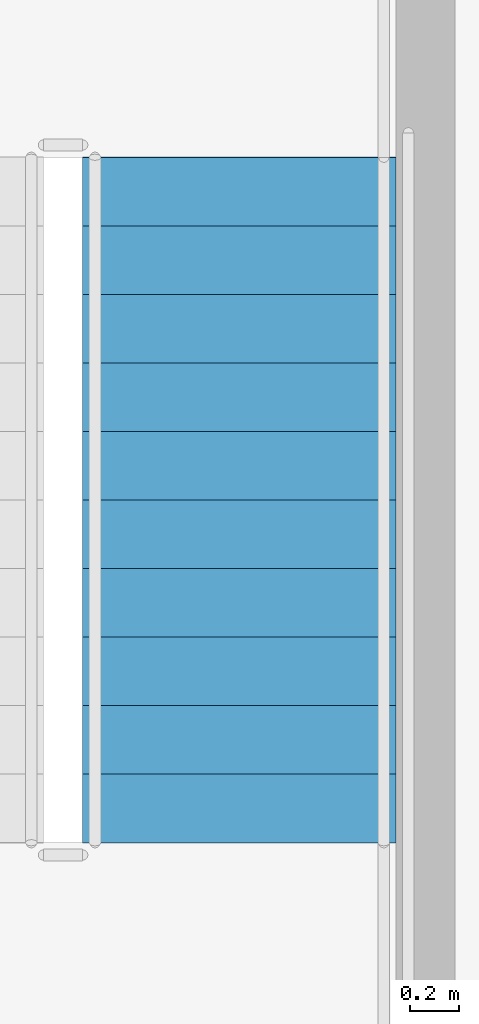
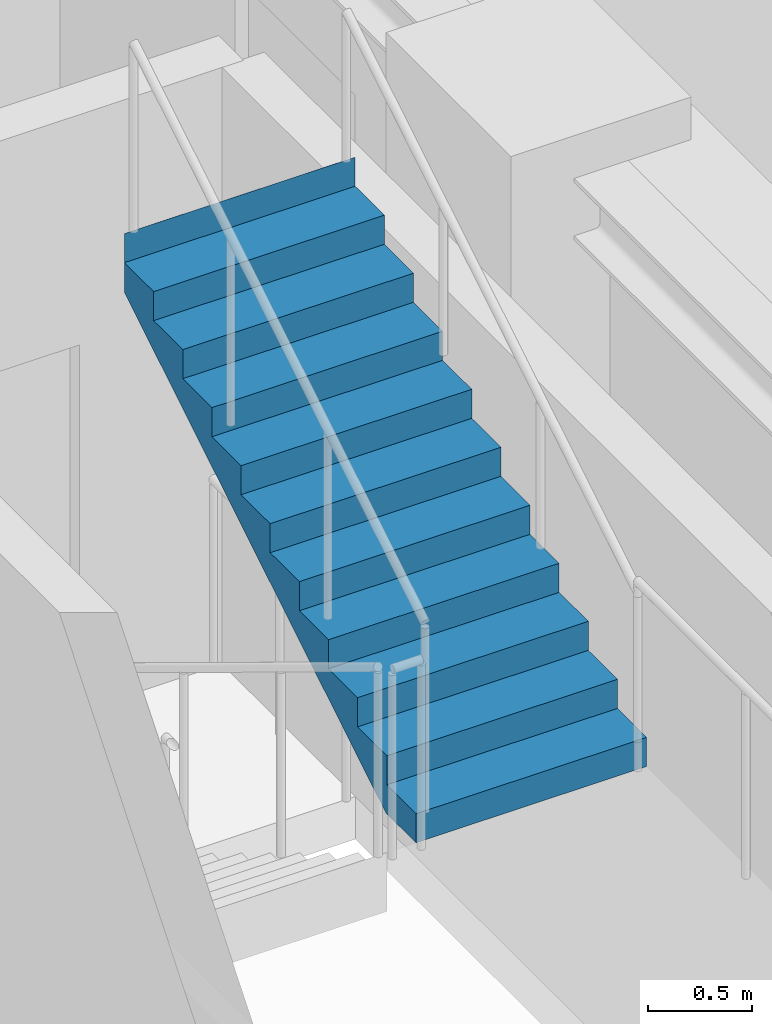
# One storey, part 9 of 12: 1 stair flight, 1 element without a shape of its own.
"""IFC4 building model written with IfcOpenShell, lengths in metres."""

from ifc_helpers import new_model, si_unit, direction, frame, origin, place, context, subcontext, project, spatial, polyline, outline, extrude, material, type_object, element, aggregate, save


model = new_model("IFC4")

# Units and contexts
model_context = context("Model", 3, precision=1e-05, world=origin(), true_north=direction((0.0, 1.0)))
body_context = subcontext(model_context, "Body", "Model", "MODEL_VIEW")
ifc_project = project(units=[si_unit("LENGTHUNIT", "METRE"), si_unit("AREAUNIT", "SQUARE_METRE"), si_unit("VOLUMEUNIT", "CUBIC_METRE"), si_unit("PLANEANGLEUNIT", "RADIAN"), si_unit("MASSUNIT", "GRAM", prefix="KILO")], contexts=[model_context])

# Site, building, storey
site_placement = place(None, origin())
site = spatial("IfcSite", under=ifc_project, at=site_placement, CompositionType="ELEMENT")
building_placement = place(site_placement, origin())
building = spatial("IfcBuilding", under=site, at=building_placement, Name="Ndelora Gate Hotel", CompositionType="ELEMENT")
storey_placement = place(building_placement, frame((0.0, 0.0, 142.25)))
storey = spatial("IfcBuildingStorey", under=building, at=storey_placement, Name="L35", CompositionType="ELEMENT", Elevation=142.25)

# Stair, stair flight
ifc_material = material(Name="Precast concrete C40/50", Category="concrete")
stair_type = type_object("IfcStairType", Name="STR-DOG-CORE", PredefinedType="HALF_TURN_STAIR", material=ifc_material)
stair_placement = place(storey_placement, origin())
stair = element("IfcStair", 1, at=stair_placement, inside=storey, type_object=stair_type, Name="L35 Protected Core Exit Stair ST5", PredefinedType="HALF_TURN_STAIR")
stair_flight_type = type_object("IfcStairFlightType", Name="STF-PRECAST", PredefinedType="STRAIGHT", material=ifc_material)
stair_flight_placement = place(storey_placement, frame((6.2099609375, -3.030029296875, 1.875), z_axis=(0.0, 0.0, 1.0), x_axis=(0.0, 1.0, 0.0)))
stair_flight = element("IfcStairFlight", 2, at=stair_flight_placement, type_object=stair_flight_type, Name="ST5 flight 2", NumberOfRisers=11, NumberOfTreads=10, PredefinedType="STRAIGHT", RiserHeight=0.170454545, TreadLength=0.28, context=body_context, shape_type="SweptSolid", body=[
    extrude(outline(polyline([(-0.00048828125, 0.0), (-0.00048828125, 0.17041015625), (0.0, 0.17041015625), (0.280029296875, 0.17041015625), (0.280029296875, 0.3408203125), (0.56005859375, 0.3408203125), (0.56005859375, 0.511474609375), (0.840087890625, 0.511474609375), (0.840087890625, 0.681884765625), (1.1201171875, 0.681884765625), (1.1201171875, 0.852294921875), (1.39990234375, 0.852294921875), (1.39990234375, 1.022705078125), (1.679931640625, 1.022705078125), (1.679931640625, 1.193115234375), (1.9599609375, 1.193115234375), (1.9599609375, 1.363525390625), (2.239990234375, 1.363525390625), (2.239990234375, 1.5341796875), (2.52001953125, 1.5341796875), (2.52001953125, 1.70458984375), (2.800048828125, 1.70458984375), (2.800048828125, 1.875), (2.800537109375, 1.875), (2.800537109375, 1.695068359375), (2.800048828125, 1.529052734375), (0.288330078125, 0.0), (-0.00048828125, 0.0)])), frame((0.0, 0.64013671875, 0.0), z_axis=(0.0, -1.0, 0.0), x_axis=(1.0, 0.0, 0.0)), (0.0, 0.0, 1.0), 1.280029296875),
])
aggregate(stair, [stair_flight])

save(model, "model.ifc")
